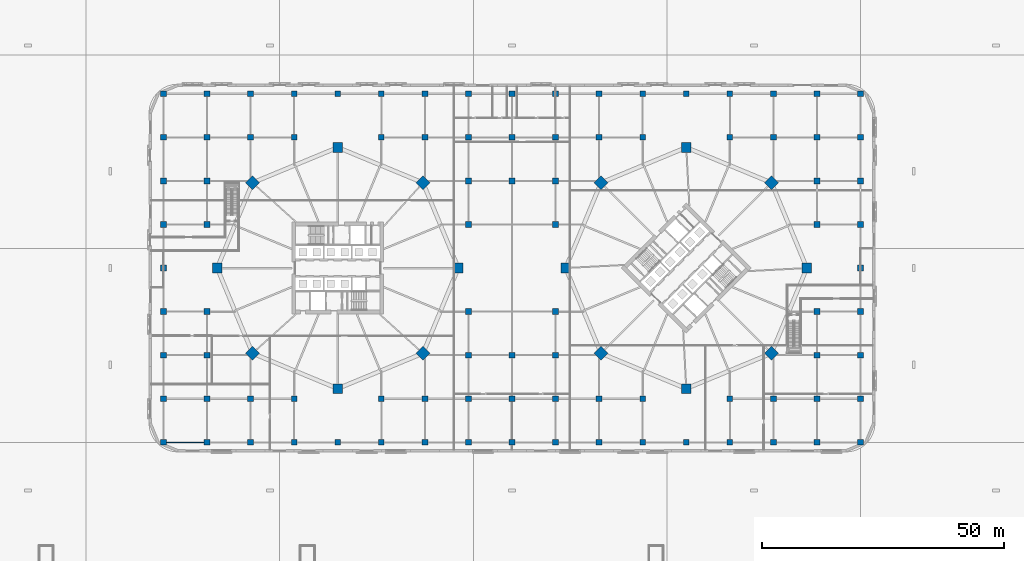
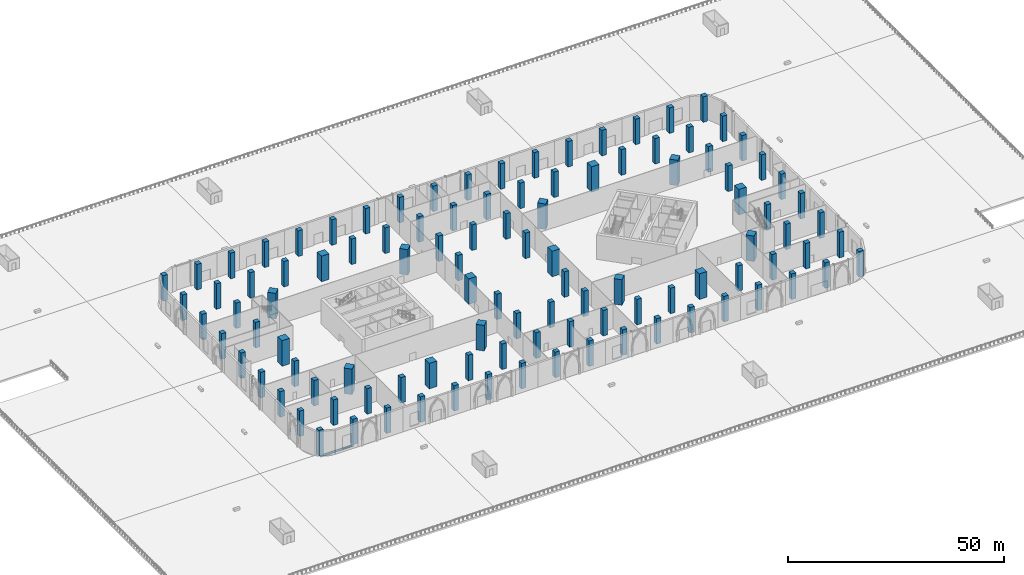
# One storey, part 1 of 48: 108 columns, 1 beam.
"""IFC4 building model written with IfcOpenShell, lengths in metres."""

from ifc_helpers import new_model, si_unit, direction, frame, origin, origin_2d, place, context, subcontext, project, spatial, rectangle, i_section, extrude, material, material_profile, profile_set, type_object, element, save


model = new_model("IFC4")

# Units and contexts
model_context = context("Model", 3, precision=1e-05, world=origin(), true_north=direction((0.0, 1.0)))
body_context = subcontext(model_context, "Body", "Model", "MODEL_VIEW")
ifc_project = project(units=[si_unit("LENGTHUNIT", "METRE"), si_unit("AREAUNIT", "SQUARE_METRE"), si_unit("VOLUMEUNIT", "CUBIC_METRE"), si_unit("PLANEANGLEUNIT", "RADIAN"), si_unit("MASSUNIT", "GRAM", prefix="KILO")], contexts=[model_context])

# Site, building, storey
site_placement = place(None, origin())
site = spatial("IfcSite", under=ifc_project, at=site_placement, CompositionType="ELEMENT")
building_placement = place(site_placement, origin())
building = spatial("IfcBuilding", under=site, at=building_placement, Name="Ogive Gate Towers", CompositionType="ELEMENT")
storey_placement = place(building_placement, origin())
storey = spatial("IfcBuildingStorey", under=building, at=storey_placement, Name="L00", CompositionType="ELEMENT", Elevation=0.0)

# Columns
ifc_material_1 = material(Name="Concrete C50/60", Category="concrete")
ifc_material_profile_1 = material_profile(ifc_material_1, rectangle(XDim=1.199951171875, YDim=1.199951171875, at=origin_2d()), Name="RC 1200x1200")
ifc_profile_set_1 = profile_set([ifc_material_profile_1], Name="Concrete C50/60")
column_type_1 = type_object("IfcColumnType", Name="Column RC 1200x1200", PredefinedType="COLUMN", material=ifc_profile_set_1)
for number, where, z_axis, x_axis, name in (
    (1, (-72.0, -36.0, 0.0), (0.0, 0.0, 1.0), (1.0, 0.0, 0.0), "PD/L00/SCL001"),
    (2, (-72.0, -27.0, 0.0), (0.0, 0.0, 1.0), (1.0, 0.0, 0.0), "PD/L00/SCL002"),
    (3, (-72.0, -18.0, 0.0), (0.0, 0.0, 1.0), (1.0, 0.0, 0.0), "PD/L00/SCL003"),
    (4, (-72.0, -9.0, 0.0), (0.0, 0.0, 1.0), (1.0, 0.0, 0.0), "PD/L00/SCL004"),
    (5, (-72.0, 0.0, 0.0), (0.0, 0.0, 1.0), (1.0, 0.0, 0.0), "PD/L00/SCL005"),
    (6, (-72.0, 9.0, 0.0), (0.0, 0.0, 1.0), (1.0, 0.0, 0.0), "PD/L00/SCL006"),
    (7, (-72.0, 18.0, 0.0), (0.0, 0.0, 1.0), (1.0, 0.0, 0.0), "PD/L00/SCL007"),
    (8, (-72.0, 27.0, 0.0), (0.0, 0.0, 1.0), (1.0, 0.0, 0.0), "PD/L00/SCL008"),
    (9, (-72.0, 36.0, 0.0), (0.0, 0.0, 1.0), (1.0, 0.0, 0.0), "PD/L00/SCL009"),
    (10, (-63.0, -36.0, 0.0), (0.0, 0.0, 1.0), (1.0, 0.0, 0.0), "PD/L00/SCL010"),
    (11, (-63.0, -27.0, 0.0), (0.0, 0.0, 1.0), (1.0, 0.0, 0.0), "PD/L00/SCL011"),
    (12, (-63.0, -18.0, 0.0), (0.0, 0.0, 1.0), (1.0, 0.0, 0.0), "PD/L00/SCL012"),
    (13, (-63.0, -9.0, 0.0), (0.0, 0.0, 1.0), (1.0, 0.0, 0.0), "PD/L00/SCL013"),
    (14, (-63.0, 9.0, 0.0), (0.0, 0.0, 1.0), (1.0, 0.0, 0.0), "PD/L00/SCL014"),
    (15, (-63.0, 18.0, 0.0), (0.0, 0.0, 1.0), (1.0, 0.0, 0.0), "PD/L00/SCL015"),
    (16, (-63.0, 27.0, 0.0), (0.0, 0.0, 1.0), (1.0, 0.0, 0.0), "PD/L00/SCL016"),
    (17, (-63.0, 36.0, 0.0), (0.0, 0.0, 1.0), (1.0, 0.0, 0.0), "PD/L00/SCL017"),
    (18, (-54.0, -36.0, 0.0), (0.0, 0.0, 1.0), (1.0, 0.0, 0.0), "PD/L00/SCL018"),
    (19, (-54.0, -27.0, 0.0), (0.0, 0.0, 1.0), (1.0, 0.0, 0.0), "PD/L00/SCL019"),
    (20, (-54.0, 27.0, 0.0), (0.0, 0.0, 1.0), (1.0, 0.0, 0.0), "PD/L00/SCL020"),
    (21, (-54.0, 36.0, 0.0), (0.0, 0.0, 1.0), (1.0, 0.0, 0.0), "PD/L00/SCL021"),
    (22, (-45.0, -36.0, 0.0), (0.0, 0.0, 1.0), (1.0, 0.0, 0.0), "PD/L00/SCL022"),
    (23, (-45.0, -27.0, 0.0), (0.0, 0.0, 1.0), (1.0, 0.0, 0.0), "PD/L00/SCL023"),
    (24, (-45.0, 27.0, 0.0), (0.0, 0.0, 1.0), (1.0, 0.0, 0.0), "PD/L00/SCL024"),
    (25, (-45.0, 36.0, 0.0), (0.0, 0.0, 1.0), (1.0, 0.0, 0.0), "PD/L00/SCL025"),
    (26, (-36.0, -36.0, 0.0), (0.0, 0.0, 1.0), (1.0, 0.0, 0.0), "PD/L00/SCL026"),
    (27, (-36.0, 36.0, 0.0), (0.0, 0.0, 1.0), (1.0, 0.0, 0.0), "PD/L00/SCL027"),
    (28, (-27.0, -36.0, 0.0), (0.0, 0.0, 1.0), (1.0, 0.0, 0.0), "PD/L00/SCL028"),
    (29, (-27.0, -27.0, 0.0), (0.0, 0.0, 1.0), (1.0, 0.0, 0.0), "PD/L00/SCL029"),
    (30, (-27.0, 27.0, 0.0), (0.0, 0.0, 1.0), (1.0, 0.0, 0.0), "PD/L00/SCL030"),
    (31, (-27.0, 36.0, 0.0), (0.0, 0.0, 1.0), (1.0, 0.0, 0.0), "PD/L00/SCL031"),
    (32, (-18.0, -36.0, 0.0), (0.0, 0.0, 1.0), (1.0, 0.0, 0.0), "PD/L00/SCL032"),
    (33, (-18.0, -27.0, 0.0), (0.0, 0.0, 1.0), (1.0, 0.0, 0.0), "PD/L00/SCL033"),
    (34, (-18.0, 27.0, 0.0), (0.0, 0.0, 1.0), (1.0, 0.0, 0.0), "PD/L00/SCL034"),
    (35, (-18.0, 36.0, 0.0), (0.0, 0.0, 1.0), (1.0, 0.0, 0.0), "PD/L00/SCL035"),
    (36, (-9.0, -36.0, 0.0), (0.0, 0.0, 1.0), (1.0, 0.0, 0.0), "PD/L00/SCL036"),
    (37, (-9.0, -27.0, 0.0), (0.0, 0.0, 1.0), (1.0, 0.0, 0.0), "PD/L00/SCL037"),
    (38, (-9.0, -18.0, 0.0), (0.0, 0.0, 1.0), (1.0, 0.0, 0.0), "PD/L00/SCL038"),
    (39, (-9.0, -9.0, 0.0), (0.0, 0.0, 1.0), (1.0, 0.0, 0.0), "PD/L00/SCL039"),
    (40, (-9.0, 9.0, 0.0), (0.0, 0.0, 1.0), (1.0, 0.0, 0.0), "PD/L00/SCL040"),
    (41, (-9.0, 18.0, 0.0), (0.0, 0.0, 1.0), (1.0, 0.0, 0.0), "PD/L00/SCL041"),
    (42, (-9.0, 27.0, 0.0), (0.0, 0.0, 1.0), (1.0, 0.0, 0.0), "PD/L00/SCL042"),
    (43, (-9.0, 36.0, 0.0), (0.0, 0.0, 1.0), (1.0, 0.0, 0.0), "PD/L00/SCL043"),
    (44, (0.0, -36.0, 0.0), (0.0, 0.0, 1.0), (1.0, 0.0, 0.0), "PD/L00/SCL044"),
    (45, (0.0, -27.0, 0.0), (0.0, 0.0, 1.0), (1.0, 0.0, 0.0), "PD/L00/SCL045"),
    (46, (0.0, -18.0, 0.0), (0.0, 0.0, 1.0), (1.0, 0.0, 0.0), "PD/L00/SCL046"),
    (47, (0.0, 18.0, 0.0), (0.0, 0.0, 1.0), (1.0, 0.0, 0.0), "PD/L00/SCL047"),
    (48, (0.0, 27.0, 0.0), (0.0, 0.0, 1.0), (1.0, 0.0, 0.0), "PD/L00/SCL048"),
    (49, (0.0, 36.0, 0.0), (0.0, 0.0, 1.0), (1.0, 0.0, 0.0), "PD/L00/SCL049"),
    (50, (9.0, -36.0, 0.0), (0.0, 0.0, 1.0), (1.0, 0.0, 0.0), "PD/L00/SCL050"),
    (51, (9.0, -27.0, 0.0), (0.0, 0.0, 1.0), (1.0, 0.0, 0.0), "PD/L00/SCL051"),
    (52, (9.0, -18.0, 0.0), (0.0, 0.0, 1.0), (1.0, 0.0, 0.0), "PD/L00/SCL052"),
    (53, (9.0, -9.0, 0.0), (0.0, 0.0, 1.0), (1.0, 0.0, 0.0), "PD/L00/SCL053"),
    (54, (9.0, 9.0, 0.0), (0.0, 0.0, 1.0), (1.0, 0.0, 0.0), "PD/L00/SCL054"),
    (55, (9.0, 18.0, 0.0), (0.0, 0.0, 1.0), (1.0, 0.0, 0.0), "PD/L00/SCL055"),
    (56, (9.0, 27.0, 0.0), (0.0, 0.0, 1.0), (1.0, 0.0, 0.0), "PD/L00/SCL056"),
    (57, (9.0, 36.0, 0.0), (0.0, 0.0, 1.0), (1.0, 0.0, 0.0), "PD/L00/SCL057"),
    (58, (18.0, -36.0, 0.0), (0.0, 0.0, 1.0), (1.0, 0.0, 0.0), "PD/L00/SCL058"),
    (59, (18.0, -27.0, 0.0), (0.0, 0.0, 1.0), (1.0, 0.0, 0.0), "PD/L00/SCL059"),
    (60, (18.0, 27.0, 0.0), (0.0, 0.0, 1.0), (1.0, 0.0, 0.0), "PD/L00/SCL060"),
    (61, (18.0, 36.0, 0.0), (0.0, 0.0, 1.0), (1.0, 0.0, 0.0), "PD/L00/SCL061"),
    (62, (27.0, -36.0, 0.0), (0.0, 0.0, 1.0), (1.0, 0.0, 0.0), "PD/L00/SCL062"),
    (63, (27.0, -27.0, 0.0), (0.0, 0.0, 1.0), (1.0, 0.0, 0.0), "PD/L00/SCL063"),
    (64, (27.0, 27.0, 0.0), (0.0, 0.0, 1.0), (1.0, 0.0, 0.0), "PD/L00/SCL064"),
    (65, (27.0, 36.0, 0.0), (0.0, 0.0, 1.0), (1.0, 0.0, 0.0), "PD/L00/SCL065"),
    (66, (36.0, -36.0, 0.0), (0.0, 0.0, 1.0), (1.0, 0.0, 0.0), "PD/L00/SCL066"),
    (67, (36.0, 36.0, 0.0), (0.0, 0.0, 1.0), (1.0, 0.0, 0.0), "PD/L00/SCL067"),
    (68, (45.0, -36.0, 0.0), (0.0, 0.0, 1.0), (1.0, 0.0, 0.0), "PD/L00/SCL068"),
    (69, (45.0, -27.0, 0.0), (0.0, 0.0, 1.0), (1.0, 0.0, 0.0), "PD/L00/SCL069"),
    (70, (45.0, 27.0, 0.0), (0.0, 0.0, 1.0), (1.0, 0.0, 0.0), "PD/L00/SCL070"),
    (71, (45.0, 36.0, 0.0), (0.0, 0.0, 1.0), (1.0, 0.0, 0.0), "PD/L00/SCL071"),
    (72, (54.0, -36.0, 0.0), (0.0, 0.0, 1.0), (1.0, 0.0, 0.0), "PD/L00/SCL072"),
    (73, (54.0, -27.0, 0.0), (0.0, 0.0, 1.0), (1.0, 0.0, 0.0), "PD/L00/SCL073"),
    (74, (54.0, 27.0, 0.0), (0.0, 0.0, 1.0), (1.0, 0.0, 0.0), "PD/L00/SCL074"),
    (75, (54.0, 36.0, 0.0), (0.0, 0.0, 1.0), (1.0, 0.0, 0.0), "PD/L00/SCL075"),
    (76, (63.0, -36.0, 0.0), (0.0, 0.0, 1.0), (1.0, 0.0, 0.0), "PD/L00/SCL076"),
    (77, (63.0, -27.0, 0.0), (0.0, 0.0, 1.0), (1.0, 0.0, 0.0), "PD/L00/SCL077"),
    (78, (63.0, -18.0, 0.0), (0.0, 0.0, 1.0), (1.0, 0.0, 0.0), "PD/L00/SCL078"),
    (79, (63.0, -9.0, 0.0), (0.0, 0.0, 1.0), (1.0, 0.0, 0.0), "PD/L00/SCL079"),
    (80, (63.0, 9.0, 0.0), (0.0, 0.0, 1.0), (1.0, 0.0, 0.0), "PD/L00/SCL080"),
    (81, (63.0, 18.0, 0.0), (0.0, 0.0, 1.0), (1.0, 0.0, 0.0), "PD/L00/SCL081"),
    (82, (63.0, 27.0, 0.0), (0.0, 0.0, 1.0), (1.0, 0.0, 0.0), "PD/L00/SCL082"),
    (83, (63.0, 36.0, 0.0), (0.0, 0.0, 1.0), (1.0, 0.0, 0.0), "PD/L00/SCL083"),
    (84, (72.0, -36.0, 0.0), (0.0, 0.0, 1.0), (1.0, 0.0, 0.0), "PD/L00/SCL084"),
    (85, (72.0, -27.0, 0.0), (0.0, 0.0, 1.0), (1.0, 0.0, 0.0), "PD/L00/SCL085"),
    (86, (72.0, -18.0, 0.0), (0.0, 0.0, 1.0), (1.0, 0.0, 0.0), "PD/L00/SCL086"),
    (87, (72.0, -9.0, 0.0), (0.0, 0.0, 1.0), (1.0, 0.0, 0.0), "PD/L00/SCL087"),
    (88, (72.0, 0.0, 0.0), (0.0, 0.0, 1.0), (1.0, 0.0, 0.0), "PD/L00/SCL088"),
    (89, (72.0, 9.0, 0.0), (0.0, 0.0, 1.0), (1.0, 0.0, 0.0), "PD/L00/SCL089"),
    (90, (72.0, 18.0, 0.0), (0.0, 0.0, 1.0), (1.0, 0.0, 0.0), "PD/L00/SCL090"),
    (91, (72.0, 27.0, 0.0), (0.0, 0.0, 1.0), (1.0, 0.0, 0.0), "PD/L00/SCL091"),
    (92, (72.0, 36.0, 0.0), (0.0, 0.0, 1.0), (1.0, 0.0, 0.0), "PD/L00/SCL092"),
):
    element("IfcColumn", number, at=place(storey_placement, frame(where, z_axis=z_axis, x_axis=x_axis)), inside=storey, type_object=column_type_1, Name=name, PredefinedType="COLUMN", context=body_context, shape_type="SweptSolid", body=[
        extrude(rectangle(XDim=1.199951171875, YDim=1.199951171875, at=origin_2d()), origin(), (0.0, 0.0, 1.0), 7.199951171875),
    ])
ifc_material_2 = material(Name="Concrete C70/85", Category="concrete")
ifc_material_profile_2 = material_profile(ifc_material_2, rectangle(XDim=2.0, YDim=2.0, at=origin_2d()), Name="RC 2000x2000")
ifc_profile_set_2 = profile_set([ifc_material_profile_2], Name="Concrete C70/85")
column_type_2 = type_object("IfcColumnType", Name="Mega column 2000 x 2000", PredefinedType="COLUMN", material=ifc_profile_set_2)
for number, where, z_axis, x_axis, name in (
    (93, (-11.090087890625, 0.0, 0.0), (0.0, 0.0, 1.0), (1.0, 0.0, 0.0), "T1/L00/SCL001"),
    (94, (-18.385986328125, 17.614013671875, 0.0), (0.0, 0.0, 1.0), (0.707106781187, 0.707106781187, 0.0), "T1/L00/SCL002"),
    (95, (-36.0, 24.909912109375, 0.0), (0.0, 0.0, 1.0), (0.0, 1.0, 0.0), "T1/L00/SCL003"),
    (96, (-53.614013671875, 17.614013671875, 0.0), (0.0, 0.0, 1.0), (-0.707106781187, 0.707106781187, 0.0), "T1/L00/SCL004"),
    (97, (-60.909912109375, 0.0, 0.0), (0.0, 0.0, 1.0), (-1.0, 0.0, 0.0), "T1/L00/SCL005"),
    (98, (-53.614013671875, -17.614013671875, 0.0), (0.0, 0.0, 1.0), (-0.707106781187, -0.707106781187, 0.0), "T1/L00/SCL006"),
    (99, (-36.0, -24.909912109375, 0.0), (0.0, 0.0, 1.0), (0.0, -1.0, 0.0), "T1/L00/SCL007"),
    (100, (-18.385986328125, -17.614013671875, 0.0), (0.0, 0.0, 1.0), (0.707106781187, -0.707106781187, 0.0), "T1/L00/SCL008"),
    (101, (60.909912109375, 0.0, 0.0), (0.0, 0.0, 1.0), (1.0, 0.0, 0.0), "T2/L00/SCL001"),
    (102, (53.614013671875, 17.614013671875, 0.0), (0.0, 0.0, 1.0), (0.707106781187, 0.707106781187, 0.0), "T2/L00/SCL002"),
    (103, (36.0, 24.909912109375, 0.0), (0.0, 0.0, 1.0), (0.0, 1.0, 0.0), "T2/L00/SCL003"),
    (104, (18.385986328125, 17.614013671875, 0.0), (0.0, 0.0, 1.0), (-0.707106781187, 0.707106781187, 0.0), "T2/L00/SCL004"),
    (105, (11.090087890625, 0.0, 0.0), (0.0, 0.0, 1.0), (-1.0, 0.0, 0.0), "T2/L00/SCL005"),
    (106, (18.385986328125, -17.614013671875, 0.0), (0.0, 0.0, 1.0), (-0.707106781187, -0.707106781187, 0.0), "T2/L00/SCL006"),
    (107, (36.0, -24.909912109375, 0.0), (0.0, 0.0, 1.0), (0.0, -1.0, 0.0), "T2/L00/SCL007"),
    (108, (53.614013671875, -17.614013671875, 0.0), (0.0, 0.0, 1.0), (0.707106781187, -0.707106781187, 0.0), "T2/L00/SCL008"),
):
    element("IfcColumn", number, at=place(storey_placement, frame(where, z_axis=z_axis, x_axis=x_axis)), inside=storey, type_object=column_type_2, Name=name, PredefinedType="COLUMN", context=body_context, shape_type="SweptSolid", body=[
        extrude(rectangle(XDim=2.0, YDim=2.0, at=origin_2d()), origin(), (0.0, 0.0, 1.0), 7.199951171875),
    ])

# Beam
ifc_material_3 = material(Name="Steel SM355", Category="steel")
ifc_material_profile_3 = material_profile(ifc_material_3, i_section(OverallWidth=0.219970703125, OverallDepth=0.60009765625, WebThickness=0.011962890625, FlangeThickness=0.01904296875, FilletRadius=0.02392578125, at=origin_2d()), Name="IPE 600")
ifc_profile_set_3 = profile_set([ifc_material_profile_3], Name="Steel SM355")
beam_type = type_object("IfcBeamType", Name="Floor beam IPE 600", PredefinedType="BEAM", material=ifc_profile_set_3)
beam_placement = place(storey_placement, frame((-72.0, -36.0, -0.60009765625), z_axis=(1.0, 0.0, 0.0), x_axis=(0.0, 1.0, 0.0)))
element("IfcBeam", 109, at=beam_placement, inside=storey, type_object=beam_type, Name="PD/L00/SBM073", PredefinedType="BEAM", context=body_context, shape_type="SweptSolid", body=[
    extrude(i_section(OverallWidth=0.219970703125, OverallDepth=0.60009765625, WebThickness=0.011962890625, FlangeThickness=0.01904296875, FilletRadius=0.02392578125, at=origin_2d()), origin(), (0.0, 0.0, 1.0), 9.0),
])

save(model, "model.ifc")
